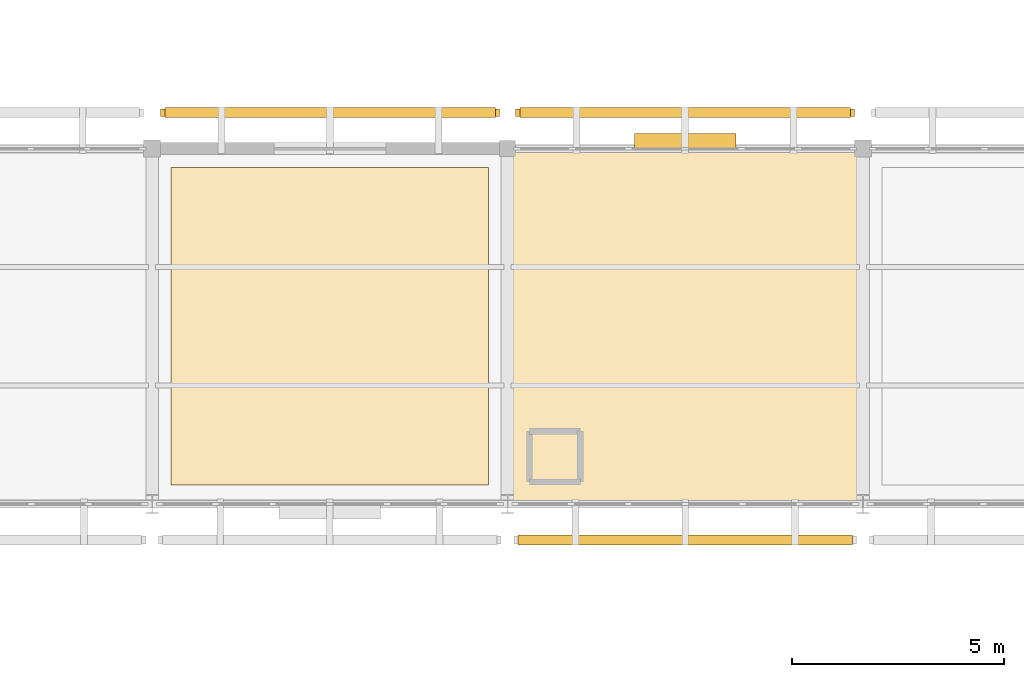
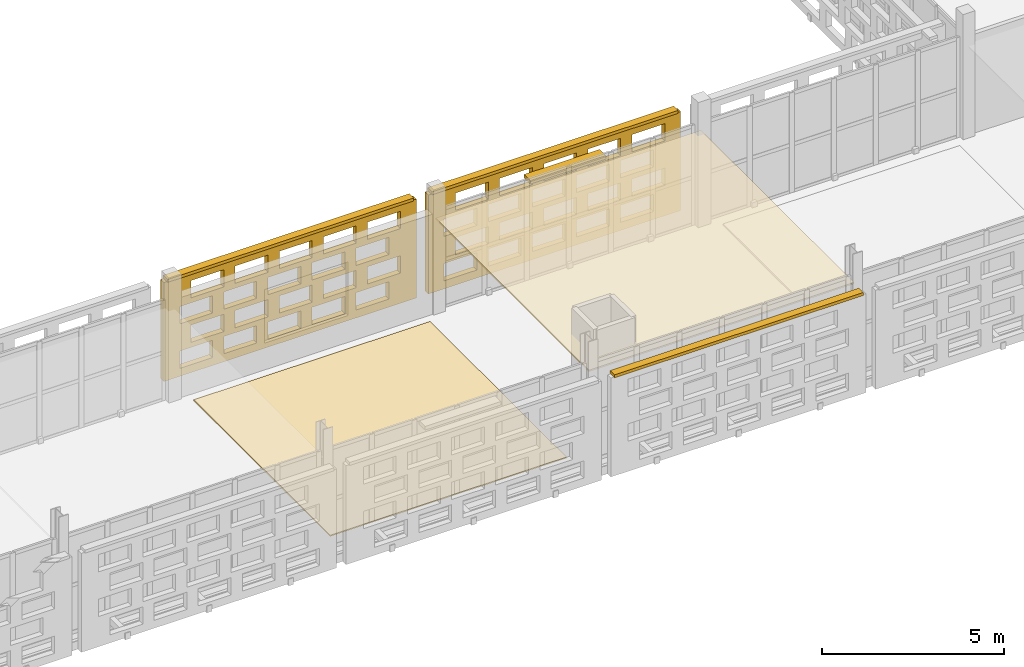
# One storey, part 143 of 166: 4 coverings, 4 shading devices, 40 openings.
"""IFC4 building model written with IfcOpenShell, lengths in metres."""

from ifc_helpers import new_model, si_unit, direction, frame, frame_2d, origin, origin_2d, place, context, subcontext, project, spatial, rectangle, extrude, material, layer, layer_set, type_object, element, save


model = new_model("IFC4")

# Units and contexts
model_context = context("Model", 3, precision=1e-05, world=origin(), true_north=direction((0.0, 1.0)))
body_context = subcontext(model_context, "Body", "Model", "MODEL_VIEW")
ifc_project = project(units=[si_unit("LENGTHUNIT", "METRE"), si_unit("AREAUNIT", "SQUARE_METRE"), si_unit("VOLUMEUNIT", "CUBIC_METRE"), si_unit("PLANEANGLEUNIT", "RADIAN"), si_unit("MASSUNIT", "GRAM", prefix="KILO")], contexts=[model_context])

# Site, building, storey
site_placement = place(None, origin())
site = spatial("IfcSite", under=ifc_project, at=site_placement, CompositionType="ELEMENT")
building_placement = place(site_placement, origin())
building = spatial("IfcBuilding", under=site, at=building_placement, Name="Varnapada Polytechnic", CompositionType="ELEMENT")
storey_placement = place(building_placement, frame((0.0, 0.0, 9.60009765625)))
storey = spatial("IfcBuildingStorey", under=building, at=storey_placement, Name="L02", CompositionType="ELEMENT", Elevation=9.60009765625)

# Covering
ifc_material_1 = material(Name="Acoustic Rubber Seminar Flooring")
ifc_layer_1 = layer(ifc_material_1, 0.0400390625)
ifc_layer_set_1 = layer_set([ifc_layer_1], Name="Acoustic Rubber Seminar Flooring")
covering_type_1 = type_object("IfcCoveringType", Name="Floor Finish FLR-06", PredefinedType="FLOORING", material=ifc_layer_set_1)
covering_1_placement = place(storey_placement, frame((96.60009765625, 88.199951171875, 0.0), z_axis=(0.0, 0.0, 1.0), x_axis=(1.0, 0.0, 0.0)))
element("IfcCovering", 1, at=covering_1_placement, inside=storey, type_object=covering_type_1, Name="L02 floor finish panel (12,11)", PredefinedType="FLOORING", context=body_context, shape_type="SweptSolid", body=[
    extrude(rectangle(XDim=7.5, YDim=7.5, at=origin_2d()), origin(), (0.0, 0.0, 1.0), 0.0400390625),
])

# Shading device
ifc_material_2 = material(Name="Anodised aluminium", Category="aluminium")
ifc_layer_2 = layer(ifc_material_2, 0.35009765625)
ifc_layer_set_2 = layer_set([ifc_layer_2], Name="Anodised aluminium")
shading_device_type_1 = type_object("IfcShadingDeviceType", Name="Solar Louvre LVR-01", PredefinedType="JALOUSIE", material=ifc_layer_set_2)
shading_device_1_placement = place(storey_placement, frame((104.9951171875, 92.580078125, 3.159912109375), z_axis=(0.0, 0.0, 1.0), x_axis=(1.0, 0.0, 0.0)))
element("IfcShadingDevice", 2, at=shading_device_1_placement, inside=storey, type_object=shading_device_type_1, Name="L02 aluminium sun louvre 67", PredefinedType="JALOUSIE", context=body_context, shape_type="SweptSolid", body=[
    extrude(rectangle(XDim=2.39990234375, YDim=0.340087890625, at=origin_2d()), origin(), (0.0, 0.0, 1.0), 0.1201171875),
])

# Covering
ifc_material_3 = material(Name="Perforated Timber Slatted Baffle Ceiling", Category="wood")
ifc_layer_3 = layer(ifc_material_3, 0.050048828125)
ifc_layer_set_3 = layer_set([ifc_layer_3], Name="Perforated Timber Slatted Baffle Ceiling")
covering_type_2 = type_object("IfcCoveringType", Name="Suspended Ceiling CLG-02", PredefinedType="CEILING", material=ifc_layer_set_3)
covering_2_placement = place(storey_placement, frame((105.0, 88.199951171875, 3.02490234375), z_axis=(0.0, 0.0, 1.0), x_axis=(1.0, 0.0, 0.0)))
element("IfcCovering", 3, at=covering_2_placement, inside=storey, type_object=covering_type_2, Name="L02 suspended acoustic ceiling (13,11)", PredefinedType="CEILING", context=body_context, shape_type="SweptSolid", body=[
    extrude(rectangle(XDim=8.419921875, YDim=8.419921875, at=origin_2d()), origin(), (0.0, 0.0, 1.0), 0.050048828125),
])

# Covering, openings
ifc_material_4 = material(Name="Earth-toned architectural terracotta screen block", Category="masonry")
ifc_layer_4 = layer(ifc_material_4, 0.1201171875)
ifc_layer_set_4 = layer_set([ifc_layer_4], Name="Earth-toned architectural terracotta screen block")
covering_type_3 = type_object("IfcCoveringType", Name="Terracotta Screen Cladding CLD-01", PredefinedType="CLADDING", material=ifc_layer_set_4)
covering_3_placement = place(storey_placement, frame((92.60009765625, 93.25, 0.0), z_axis=(0.0, 0.0, 1.0), x_axis=(1.0, 0.0, 0.0)))
covering_3 = element("IfcCovering", 4, at=covering_3_placement, inside=storey, type_object=covering_type_3, Name="L02 perforated terracotta block screen (65)", PredefinedType="CLADDING", context=body_context, shape_type="SweptSolid", body=[
    extrude(rectangle(XDim=8.010009765625, YDim=0.179931640625, at=frame_2d((4.0048828125, 0.0))), origin(), (0.0, 0.0, 1.0), 3.31982421875),
])
opening_1_placement = place(covering_3_placement, frame((0.5048828125, 0.0, 0.265625)))
element("IfcOpeningElement", 5, at=opening_1_placement, cuts=covering_3, Name="Screen perforation TBS-L02-064.1", PredefinedType="OPENING", context=body_context, shape_type="SweptSolid", body=[
    extrude(rectangle(XDim=1.0400390625, YDim=0.5810546875, at=frame_2d((0.52001953125, 0.29052734375))), frame((0.0, 0.099853515625, 0.0), z_axis=(0.0, -1.0, 0.0), x_axis=(1.0, 0.0, 0.0)), (0.0, 0.0, 1.0), 0.199951171875),
])
opening_2_placement = place(covering_3_placement, frame((1.905029296875, 0.0, 0.265625)))
element("IfcOpeningElement", 6, at=opening_2_placement, cuts=covering_3, Name="Screen perforation TBS-L02-064.2", PredefinedType="OPENING", context=body_context, shape_type="SweptSolid", body=[
    extrude(rectangle(XDim=1.0400390625, YDim=0.5810546875, at=frame_2d((0.52001953125, 0.29052734375))), frame((0.0, 0.099853515625, 0.0), z_axis=(0.0, -1.0, 0.0), x_axis=(1.0, 0.0, 0.0)), (0.0, 0.0, 1.0), 0.199951171875),
])
opening_3_placement = place(covering_3_placement, frame((3.304931640625, 0.0, 0.265625)))
element("IfcOpeningElement", 7, at=opening_3_placement, cuts=covering_3, Name="Screen perforation TBS-L02-064.3", PredefinedType="OPENING", context=body_context, shape_type="SweptSolid", body=[
    extrude(rectangle(XDim=1.0400390625, YDim=0.5810546875, at=frame_2d((0.52001953125, 0.29052734375))), frame((0.0, 0.099853515625, 0.0), z_axis=(0.0, -1.0, 0.0), x_axis=(1.0, 0.0, 0.0)), (0.0, 0.0, 1.0), 0.199951171875),
])
opening_4_placement = place(covering_3_placement, frame((4.705078125, 0.0, 0.265625)))
element("IfcOpeningElement", 8, at=opening_4_placement, cuts=covering_3, Name="Screen perforation TBS-L02-064.4", PredefinedType="OPENING", context=body_context, shape_type="SweptSolid", body=[
    extrude(rectangle(XDim=1.0400390625, YDim=0.5810546875, at=frame_2d((0.52001953125, 0.29052734375))), frame((0.0, 0.099853515625, 0.0), z_axis=(0.0, -1.0, 0.0), x_axis=(1.0, 0.0, 0.0)), (0.0, 0.0, 1.0), 0.199951171875),
])
opening_5_placement = place(covering_3_placement, frame((6.10498046875, 0.0, 0.265625)))
element("IfcOpeningElement", 9, at=opening_5_placement, cuts=covering_3, Name="Screen perforation TBS-L02-064.5", PredefinedType="OPENING", context=body_context, shape_type="SweptSolid", body=[
    extrude(rectangle(XDim=1.0400390625, YDim=0.5810546875, at=frame_2d((0.52001953125, 0.29052734375))), frame((0.0, 0.099853515625, 0.0), z_axis=(0.0, -1.0, 0.0), x_axis=(1.0, 0.0, 0.0)), (0.0, 0.0, 1.0), 0.199951171875),
])
opening_6_placement = place(covering_3_placement, frame((0.864990234375, 0.0, 1.0126953125)))
element("IfcOpeningElement", 10, at=opening_6_placement, cuts=covering_3, Name="Screen perforation TBS-L02-064.6", PredefinedType="OPENING", context=body_context, shape_type="SweptSolid", body=[
    extrude(rectangle(XDim=1.0400390625, YDim=0.5810546875, at=frame_2d((0.52001953125, 0.29052734375))), frame((0.0, 0.099853515625, 0.0), z_axis=(0.0, -1.0, 0.0), x_axis=(1.0, 0.0, 0.0)), (0.0, 0.0, 1.0), 0.199951171875),
])
opening_7_placement = place(covering_3_placement, frame((2.264892578125, 0.0, 1.0126953125)))
element("IfcOpeningElement", 11, at=opening_7_placement, cuts=covering_3, Name="Screen perforation TBS-L02-064.7", PredefinedType="OPENING", context=body_context, shape_type="SweptSolid", body=[
    extrude(rectangle(XDim=1.0400390625, YDim=0.5810546875, at=frame_2d((0.52001953125, 0.29052734375))), frame((0.0, 0.099853515625, 0.0), z_axis=(0.0, -1.0, 0.0), x_axis=(1.0, 0.0, 0.0)), (0.0, 0.0, 1.0), 0.199951171875),
])
opening_8_placement = place(covering_3_placement, frame((3.6650390625, 0.0, 1.0126953125)))
element("IfcOpeningElement", 12, at=opening_8_placement, cuts=covering_3, Name="Screen perforation TBS-L02-064.8", PredefinedType="OPENING", context=body_context, shape_type="SweptSolid", body=[
    extrude(rectangle(XDim=1.0400390625, YDim=0.5810546875, at=frame_2d((0.52001953125, 0.29052734375))), frame((0.0, 0.099853515625, 0.0), z_axis=(0.0, -1.0, 0.0), x_axis=(1.0, 0.0, 0.0)), (0.0, 0.0, 1.0), 0.199951171875),
])
opening_9_placement = place(covering_3_placement, frame((5.06494140625, 0.0, 1.0126953125)))
element("IfcOpeningElement", 13, at=opening_9_placement, cuts=covering_3, Name="Screen perforation TBS-L02-064.9", PredefinedType="OPENING", context=body_context, shape_type="SweptSolid", body=[
    extrude(rectangle(XDim=1.0400390625, YDim=0.5810546875, at=frame_2d((0.52001953125, 0.29052734375))), frame((0.0, 0.099853515625, 0.0), z_axis=(0.0, -1.0, 0.0), x_axis=(1.0, 0.0, 0.0)), (0.0, 0.0, 1.0), 0.199951171875),
])
opening_10_placement = place(covering_3_placement, frame((6.465087890625, 0.0, 1.0126953125)))
element("IfcOpeningElement", 14, at=opening_10_placement, cuts=covering_3, Name="Screen perforation TBS-L02-064.10", PredefinedType="OPENING", context=body_context, shape_type="SweptSolid", body=[
    extrude(rectangle(XDim=1.0400390625, YDim=0.5810546875, at=frame_2d((0.52001953125, 0.29052734375))), frame((0.0, 0.099853515625, 0.0), z_axis=(0.0, -1.0, 0.0), x_axis=(1.0, 0.0, 0.0)), (0.0, 0.0, 1.0), 0.199951171875),
])
opening_11_placement = place(covering_3_placement, frame((0.5048828125, 0.0, 1.759521484375)))
element("IfcOpeningElement", 15, at=opening_11_placement, cuts=covering_3, Name="Screen perforation TBS-L02-064.11", PredefinedType="OPENING", context=body_context, shape_type="SweptSolid", body=[
    extrude(rectangle(XDim=1.0400390625, YDim=0.5810546875, at=frame_2d((0.52001953125, 0.29052734375))), frame((0.0, 0.099853515625, 0.0), z_axis=(0.0, -1.0, 0.0), x_axis=(1.0, 0.0, 0.0)), (0.0, 0.0, 1.0), 0.199951171875),
])
opening_12_placement = place(covering_3_placement, frame((1.905029296875, 0.0, 1.759521484375)))
element("IfcOpeningElement", 16, at=opening_12_placement, cuts=covering_3, Name="Screen perforation TBS-L02-064.12", PredefinedType="OPENING", context=body_context, shape_type="SweptSolid", body=[
    extrude(rectangle(XDim=1.0400390625, YDim=0.5810546875, at=frame_2d((0.52001953125, 0.29052734375))), frame((0.0, 0.099853515625, 0.0), z_axis=(0.0, -1.0, 0.0), x_axis=(1.0, 0.0, 0.0)), (0.0, 0.0, 1.0), 0.199951171875),
])
opening_13_placement = place(covering_3_placement, frame((3.304931640625, 0.0, 1.759521484375)))
element("IfcOpeningElement", 17, at=opening_13_placement, cuts=covering_3, Name="Screen perforation TBS-L02-064.13", PredefinedType="OPENING", context=body_context, shape_type="SweptSolid", body=[
    extrude(rectangle(XDim=1.0400390625, YDim=0.5810546875, at=frame_2d((0.52001953125, 0.29052734375))), frame((0.0, 0.099853515625, 0.0), z_axis=(0.0, -1.0, 0.0), x_axis=(1.0, 0.0, 0.0)), (0.0, 0.0, 1.0), 0.199951171875),
])
opening_14_placement = place(covering_3_placement, frame((4.705078125, 0.0, 1.759521484375)))
element("IfcOpeningElement", 18, at=opening_14_placement, cuts=covering_3, Name="Screen perforation TBS-L02-064.14", PredefinedType="OPENING", context=body_context, shape_type="SweptSolid", body=[
    extrude(rectangle(XDim=1.0400390625, YDim=0.5810546875, at=frame_2d((0.52001953125, 0.29052734375))), frame((0.0, 0.099853515625, 0.0), z_axis=(0.0, -1.0, 0.0), x_axis=(1.0, 0.0, 0.0)), (0.0, 0.0, 1.0), 0.199951171875),
])
opening_15_placement = place(covering_3_placement, frame((6.10498046875, 0.0, 1.759521484375)))
element("IfcOpeningElement", 19, at=opening_15_placement, cuts=covering_3, Name="Screen perforation TBS-L02-064.15", PredefinedType="OPENING", context=body_context, shape_type="SweptSolid", body=[
    extrude(rectangle(XDim=1.0400390625, YDim=0.5810546875, at=frame_2d((0.52001953125, 0.29052734375))), frame((0.0, 0.099853515625, 0.0), z_axis=(0.0, -1.0, 0.0), x_axis=(1.0, 0.0, 0.0)), (0.0, 0.0, 1.0), 0.199951171875),
])
opening_16_placement = place(covering_3_placement, frame((0.864990234375, 0.0, 2.506591796875)))
element("IfcOpeningElement", 20, at=opening_16_placement, cuts=covering_3, Name="Screen perforation TBS-L02-064.16", PredefinedType="OPENING", context=body_context, shape_type="SweptSolid", body=[
    extrude(rectangle(XDim=1.0400390625, YDim=0.5810546875, at=frame_2d((0.52001953125, 0.29052734375))), frame((0.0, 0.099853515625, 0.0), z_axis=(0.0, -1.0, 0.0), x_axis=(1.0, 0.0, 0.0)), (0.0, 0.0, 1.0), 0.199951171875),
])
opening_17_placement = place(covering_3_placement, frame((2.264892578125, 0.0, 2.506591796875)))
element("IfcOpeningElement", 21, at=opening_17_placement, cuts=covering_3, Name="Screen perforation TBS-L02-064.17", PredefinedType="OPENING", context=body_context, shape_type="SweptSolid", body=[
    extrude(rectangle(XDim=1.0400390625, YDim=0.5810546875, at=frame_2d((0.52001953125, 0.29052734375))), frame((0.0, 0.099853515625, 0.0), z_axis=(0.0, -1.0, 0.0), x_axis=(1.0, 0.0, 0.0)), (0.0, 0.0, 1.0), 0.199951171875),
])
opening_18_placement = place(covering_3_placement, frame((3.6650390625, 0.0, 2.506591796875)))
element("IfcOpeningElement", 22, at=opening_18_placement, cuts=covering_3, Name="Screen perforation TBS-L02-064.18", PredefinedType="OPENING", context=body_context, shape_type="SweptSolid", body=[
    extrude(rectangle(XDim=1.0400390625, YDim=0.5810546875, at=frame_2d((0.52001953125, 0.29052734375))), frame((0.0, 0.099853515625, 0.0), z_axis=(0.0, -1.0, 0.0), x_axis=(1.0, 0.0, 0.0)), (0.0, 0.0, 1.0), 0.199951171875),
])
opening_19_placement = place(covering_3_placement, frame((5.06494140625, 0.0, 2.506591796875)))
element("IfcOpeningElement", 23, at=opening_19_placement, cuts=covering_3, Name="Screen perforation TBS-L02-064.19", PredefinedType="OPENING", context=body_context, shape_type="SweptSolid", body=[
    extrude(rectangle(XDim=1.0400390625, YDim=0.5810546875, at=frame_2d((0.52001953125, 0.29052734375))), frame((0.0, 0.099853515625, 0.0), z_axis=(0.0, -1.0, 0.0), x_axis=(1.0, 0.0, 0.0)), (0.0, 0.0, 1.0), 0.199951171875),
])
opening_20_placement = place(covering_3_placement, frame((6.465087890625, 0.0, 2.506591796875)))
element("IfcOpeningElement", 24, at=opening_20_placement, cuts=covering_3, Name="Screen perforation TBS-L02-064.20", PredefinedType="OPENING", context=body_context, shape_type="SweptSolid", body=[
    extrude(rectangle(XDim=1.0400390625, YDim=0.5810546875, at=frame_2d((0.52001953125, 0.29052734375))), frame((0.0, 0.099853515625, 0.0), z_axis=(0.0, -1.0, 0.0), x_axis=(1.0, 0.0, 0.0)), (0.0, 0.0, 1.0), 0.199951171875),
])

covering_4_placement = place(storey_placement, frame((100.989990234375, 93.25, 0.0), z_axis=(0.0, 0.0, 1.0), x_axis=(1.0, 0.0, 0.0)))
covering_4 = element("IfcCovering", 25, at=covering_4_placement, inside=storey, type_object=covering_type_3, Name="L02 perforated terracotta block screen (67)", PredefinedType="CLADDING", context=body_context, shape_type="SweptSolid", body=[
    extrude(rectangle(XDim=8.010009765625, YDim=0.179931640625, at=frame_2d((4.0048828125, 0.0))), origin(), (0.0, 0.0, 1.0), 3.31982421875),
])
opening_21_placement = place(covering_4_placement, frame((0.5048828125, 0.0, 0.265625)))
element("IfcOpeningElement", 26, at=opening_21_placement, cuts=covering_4, Name="Screen perforation TBS-L02-066.1", PredefinedType="OPENING", context=body_context, shape_type="SweptSolid", body=[
    extrude(rectangle(XDim=1.0400390625, YDim=0.5810546875, at=frame_2d((0.52001953125, 0.29052734375))), frame((0.0, 0.099853515625, 0.0), z_axis=(0.0, -1.0, 0.0), x_axis=(1.0, 0.0, 0.0)), (0.0, 0.0, 1.0), 0.199951171875),
])
opening_22_placement = place(covering_4_placement, frame((1.905029296875, 0.0, 0.265625)))
element("IfcOpeningElement", 27, at=opening_22_placement, cuts=covering_4, Name="Screen perforation TBS-L02-066.2", PredefinedType="OPENING", context=body_context, shape_type="SweptSolid", body=[
    extrude(rectangle(XDim=1.0400390625, YDim=0.5810546875, at=frame_2d((0.52001953125, 0.29052734375))), frame((0.0, 0.099853515625, 0.0), z_axis=(0.0, -1.0, 0.0), x_axis=(1.0, 0.0, 0.0)), (0.0, 0.0, 1.0), 0.199951171875),
])
opening_23_placement = place(covering_4_placement, frame((3.304931640625, 0.0, 0.265625)))
element("IfcOpeningElement", 28, at=opening_23_placement, cuts=covering_4, Name="Screen perforation TBS-L02-066.3", PredefinedType="OPENING", context=body_context, shape_type="SweptSolid", body=[
    extrude(rectangle(XDim=1.0400390625, YDim=0.5810546875, at=frame_2d((0.52001953125, 0.29052734375))), frame((0.0, 0.099853515625, 0.0), z_axis=(0.0, -1.0, 0.0), x_axis=(1.0, 0.0, 0.0)), (0.0, 0.0, 1.0), 0.199951171875),
])
opening_24_placement = place(covering_4_placement, frame((4.705078125, 0.0, 0.265625)))
element("IfcOpeningElement", 29, at=opening_24_placement, cuts=covering_4, Name="Screen perforation TBS-L02-066.4", PredefinedType="OPENING", context=body_context, shape_type="SweptSolid", body=[
    extrude(rectangle(XDim=1.0400390625, YDim=0.5810546875, at=frame_2d((0.52001953125, 0.29052734375))), frame((0.0, 0.099853515625, 0.0), z_axis=(0.0, -1.0, 0.0), x_axis=(1.0, 0.0, 0.0)), (0.0, 0.0, 1.0), 0.199951171875),
])
opening_25_placement = place(covering_4_placement, frame((6.10498046875, 0.0, 0.265625)))
element("IfcOpeningElement", 30, at=opening_25_placement, cuts=covering_4, Name="Screen perforation TBS-L02-066.5", PredefinedType="OPENING", context=body_context, shape_type="SweptSolid", body=[
    extrude(rectangle(XDim=1.0400390625, YDim=0.5810546875, at=frame_2d((0.52001953125, 0.29052734375))), frame((0.0, 0.099853515625, 0.0), z_axis=(0.0, -1.0, 0.0), x_axis=(1.0, 0.0, 0.0)), (0.0, 0.0, 1.0), 0.199951171875),
])
opening_26_placement = place(covering_4_placement, frame((0.864990234375, 0.0, 1.0126953125)))
element("IfcOpeningElement", 31, at=opening_26_placement, cuts=covering_4, Name="Screen perforation TBS-L02-066.6", PredefinedType="OPENING", context=body_context, shape_type="SweptSolid", body=[
    extrude(rectangle(XDim=1.0400390625, YDim=0.5810546875, at=frame_2d((0.52001953125, 0.29052734375))), frame((0.0, 0.099853515625, 0.0), z_axis=(0.0, -1.0, 0.0), x_axis=(1.0, 0.0, 0.0)), (0.0, 0.0, 1.0), 0.199951171875),
])
opening_27_placement = place(covering_4_placement, frame((2.264892578125, 0.0, 1.0126953125)))
element("IfcOpeningElement", 32, at=opening_27_placement, cuts=covering_4, Name="Screen perforation TBS-L02-066.7", PredefinedType="OPENING", context=body_context, shape_type="SweptSolid", body=[
    extrude(rectangle(XDim=1.0400390625, YDim=0.5810546875, at=frame_2d((0.52001953125, 0.29052734375))), frame((0.0, 0.099853515625, 0.0), z_axis=(0.0, -1.0, 0.0), x_axis=(1.0, 0.0, 0.0)), (0.0, 0.0, 1.0), 0.199951171875),
])
opening_28_placement = place(covering_4_placement, frame((3.6650390625, 0.0, 1.0126953125)))
element("IfcOpeningElement", 33, at=opening_28_placement, cuts=covering_4, Name="Screen perforation TBS-L02-066.8", PredefinedType="OPENING", context=body_context, shape_type="SweptSolid", body=[
    extrude(rectangle(XDim=1.0400390625, YDim=0.5810546875, at=frame_2d((0.52001953125, 0.29052734375))), frame((0.0, 0.099853515625, 0.0), z_axis=(0.0, -1.0, 0.0), x_axis=(1.0, 0.0, 0.0)), (0.0, 0.0, 1.0), 0.199951171875),
])
opening_29_placement = place(covering_4_placement, frame((5.06494140625, 0.0, 1.0126953125)))
element("IfcOpeningElement", 34, at=opening_29_placement, cuts=covering_4, Name="Screen perforation TBS-L02-066.9", PredefinedType="OPENING", context=body_context, shape_type="SweptSolid", body=[
    extrude(rectangle(XDim=1.0400390625, YDim=0.5810546875, at=frame_2d((0.52001953125, 0.29052734375))), frame((0.0, 0.099853515625, 0.0), z_axis=(0.0, -1.0, 0.0), x_axis=(1.0, 0.0, 0.0)), (0.0, 0.0, 1.0), 0.199951171875),
])
opening_30_placement = place(covering_4_placement, frame((6.465087890625, 0.0, 1.0126953125)))
element("IfcOpeningElement", 35, at=opening_30_placement, cuts=covering_4, Name="Screen perforation TBS-L02-066.10", PredefinedType="OPENING", context=body_context, shape_type="SweptSolid", body=[
    extrude(rectangle(XDim=1.0400390625, YDim=0.5810546875, at=frame_2d((0.52001953125, 0.29052734375))), frame((0.0, 0.099853515625, 0.0), z_axis=(0.0, -1.0, 0.0), x_axis=(1.0, 0.0, 0.0)), (0.0, 0.0, 1.0), 0.199951171875),
])
opening_31_placement = place(covering_4_placement, frame((0.5048828125, 0.0, 1.759521484375)))
element("IfcOpeningElement", 36, at=opening_31_placement, cuts=covering_4, Name="Screen perforation TBS-L02-066.11", PredefinedType="OPENING", context=body_context, shape_type="SweptSolid", body=[
    extrude(rectangle(XDim=1.0400390625, YDim=0.5810546875, at=frame_2d((0.52001953125, 0.29052734375))), frame((0.0, 0.099853515625, 0.0), z_axis=(0.0, -1.0, 0.0), x_axis=(1.0, 0.0, 0.0)), (0.0, 0.0, 1.0), 0.199951171875),
])
opening_32_placement = place(covering_4_placement, frame((1.905029296875, 0.0, 1.759521484375)))
element("IfcOpeningElement", 37, at=opening_32_placement, cuts=covering_4, Name="Screen perforation TBS-L02-066.12", PredefinedType="OPENING", context=body_context, shape_type="SweptSolid", body=[
    extrude(rectangle(XDim=1.0400390625, YDim=0.5810546875, at=frame_2d((0.52001953125, 0.29052734375))), frame((0.0, 0.099853515625, 0.0), z_axis=(0.0, -1.0, 0.0), x_axis=(1.0, 0.0, 0.0)), (0.0, 0.0, 1.0), 0.199951171875),
])
opening_33_placement = place(covering_4_placement, frame((3.304931640625, 0.0, 1.759521484375)))
element("IfcOpeningElement", 38, at=opening_33_placement, cuts=covering_4, Name="Screen perforation TBS-L02-066.13", PredefinedType="OPENING", context=body_context, shape_type="SweptSolid", body=[
    extrude(rectangle(XDim=1.0400390625, YDim=0.5810546875, at=frame_2d((0.52001953125, 0.29052734375))), frame((0.0, 0.099853515625, 0.0), z_axis=(0.0, -1.0, 0.0), x_axis=(1.0, 0.0, 0.0)), (0.0, 0.0, 1.0), 0.199951171875),
])
opening_34_placement = place(covering_4_placement, frame((4.705078125, 0.0, 1.759521484375)))
element("IfcOpeningElement", 39, at=opening_34_placement, cuts=covering_4, Name="Screen perforation TBS-L02-066.14", PredefinedType="OPENING", context=body_context, shape_type="SweptSolid", body=[
    extrude(rectangle(XDim=1.0400390625, YDim=0.5810546875, at=frame_2d((0.52001953125, 0.29052734375))), frame((0.0, 0.099853515625, 0.0), z_axis=(0.0, -1.0, 0.0), x_axis=(1.0, 0.0, 0.0)), (0.0, 0.0, 1.0), 0.199951171875),
])
opening_35_placement = place(covering_4_placement, frame((6.10498046875, 0.0, 1.759521484375)))
element("IfcOpeningElement", 40, at=opening_35_placement, cuts=covering_4, Name="Screen perforation TBS-L02-066.15", PredefinedType="OPENING", context=body_context, shape_type="SweptSolid", body=[
    extrude(rectangle(XDim=1.0400390625, YDim=0.5810546875, at=frame_2d((0.52001953125, 0.29052734375))), frame((0.0, 0.099853515625, 0.0), z_axis=(0.0, -1.0, 0.0), x_axis=(1.0, 0.0, 0.0)), (0.0, 0.0, 1.0), 0.199951171875),
])
opening_36_placement = place(covering_4_placement, frame((0.864990234375, 0.0, 2.506591796875)))
element("IfcOpeningElement", 41, at=opening_36_placement, cuts=covering_4, Name="Screen perforation TBS-L02-066.16", PredefinedType="OPENING", context=body_context, shape_type="SweptSolid", body=[
    extrude(rectangle(XDim=1.0400390625, YDim=0.5810546875, at=frame_2d((0.52001953125, 0.29052734375))), frame((0.0, 0.099853515625, 0.0), z_axis=(0.0, -1.0, 0.0), x_axis=(1.0, 0.0, 0.0)), (0.0, 0.0, 1.0), 0.199951171875),
])
opening_37_placement = place(covering_4_placement, frame((2.264892578125, 0.0, 2.506591796875)))
element("IfcOpeningElement", 42, at=opening_37_placement, cuts=covering_4, Name="Screen perforation TBS-L02-066.17", PredefinedType="OPENING", context=body_context, shape_type="SweptSolid", body=[
    extrude(rectangle(XDim=1.0400390625, YDim=0.5810546875, at=frame_2d((0.52001953125, 0.29052734375))), frame((0.0, 0.099853515625, 0.0), z_axis=(0.0, -1.0, 0.0), x_axis=(1.0, 0.0, 0.0)), (0.0, 0.0, 1.0), 0.199951171875),
])
opening_38_placement = place(covering_4_placement, frame((3.6650390625, 0.0, 2.506591796875)))
element("IfcOpeningElement", 43, at=opening_38_placement, cuts=covering_4, Name="Screen perforation TBS-L02-066.18", PredefinedType="OPENING", context=body_context, shape_type="SweptSolid", body=[
    extrude(rectangle(XDim=1.0400390625, YDim=0.5810546875, at=frame_2d((0.52001953125, 0.29052734375))), frame((0.0, 0.099853515625, 0.0), z_axis=(0.0, -1.0, 0.0), x_axis=(1.0, 0.0, 0.0)), (0.0, 0.0, 1.0), 0.199951171875),
])
opening_39_placement = place(covering_4_placement, frame((5.06494140625, 0.0, 2.506591796875)))
element("IfcOpeningElement", 44, at=opening_39_placement, cuts=covering_4, Name="Screen perforation TBS-L02-066.19", PredefinedType="OPENING", context=body_context, shape_type="SweptSolid", body=[
    extrude(rectangle(XDim=1.0400390625, YDim=0.5810546875, at=frame_2d((0.52001953125, 0.29052734375))), frame((0.0, 0.099853515625, 0.0), z_axis=(0.0, -1.0, 0.0), x_axis=(1.0, 0.0, 0.0)), (0.0, 0.0, 1.0), 0.199951171875),
])
opening_40_placement = place(covering_4_placement, frame((6.465087890625, 0.0, 2.506591796875)))
element("IfcOpeningElement", 45, at=opening_40_placement, cuts=covering_4, Name="Screen perforation TBS-L02-066.20", PredefinedType="OPENING", context=body_context, shape_type="SweptSolid", body=[
    extrude(rectangle(XDim=1.0400390625, YDim=0.5810546875, at=frame_2d((0.52001953125, 0.29052734375))), frame((0.0, 0.099853515625, 0.0), z_axis=(0.0, -1.0, 0.0), x_axis=(1.0, 0.0, 0.0)), (0.0, 0.0, 1.0), 0.199951171875),
])

# Shading devices
ifc_layer_5 = layer(ifc_material_4, 0.179931640625)
ifc_layer_set_5 = layer_set([ifc_layer_5], Name="Earth-toned architectural terracotta screen block")
shading_device_type_2 = type_object("IfcShadingDeviceType", Name="Terracotta Screen SCR-01", PredefinedType="USERDEFINED", material=ifc_layer_set_5)
shading_device_2_placement = place(storey_placement, frame((96.60498046875, 93.25, 3.309814453125), z_axis=(0.0, 0.0, 1.0), x_axis=(1.0, 0.0, 0.0)))
element("IfcShadingDevice", 46, at=shading_device_2_placement, inside=storey, type_object=shading_device_type_2, Name="L02 perforated terracotta screen hood 290", ObjectType="SCREEN", PredefinedType="USERDEFINED", context=body_context, shape_type="SweptSolid", body=[
    extrude(rectangle(XDim=7.81005859375, YDim=0.239990234375, at=origin_2d()), origin(), (0.0, 0.0, 1.0), 0.10009765625),
])
shading_device_3_placement = place(storey_placement, frame((105.0, 83.14990234375, 3.309814453125), z_axis=(0.0, 0.0, 1.0), x_axis=(-1.0, 0.0, 0.0)))
element("IfcShadingDevice", 47, at=shading_device_3_placement, inside=storey, type_object=shading_device_type_2, Name="L02 perforated terracotta screen hood 291", ObjectType="SCREEN", PredefinedType="USERDEFINED", context=body_context, shape_type="SweptSolid", body=[
    extrude(rectangle(XDim=7.89990234375, YDim=0.239990234375, at=origin_2d()), origin(), (0.0, 0.0, 1.0), 0.10009765625),
])
shading_device_4_placement = place(storey_placement, frame((104.9951171875, 93.25, 3.309814453125), z_axis=(0.0, 0.0, 1.0), x_axis=(1.0, 0.0, 0.0)))
element("IfcShadingDevice", 48, at=shading_device_4_placement, inside=storey, type_object=shading_device_type_2, Name="L02 perforated terracotta screen hood 292", ObjectType="SCREEN", PredefinedType="USERDEFINED", context=body_context, shape_type="SweptSolid", body=[
    extrude(rectangle(XDim=7.81005859375, YDim=0.239990234375, at=origin_2d()), origin(), (0.0, 0.0, 1.0), 0.10009765625),
])

save(model, "model.ifc")
